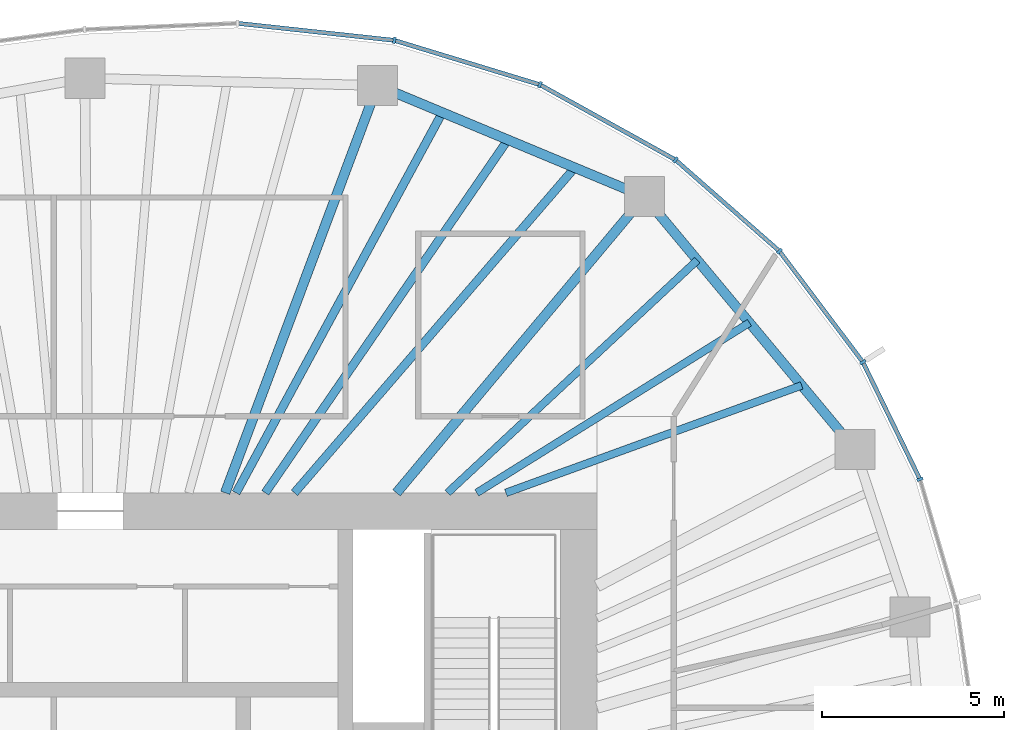
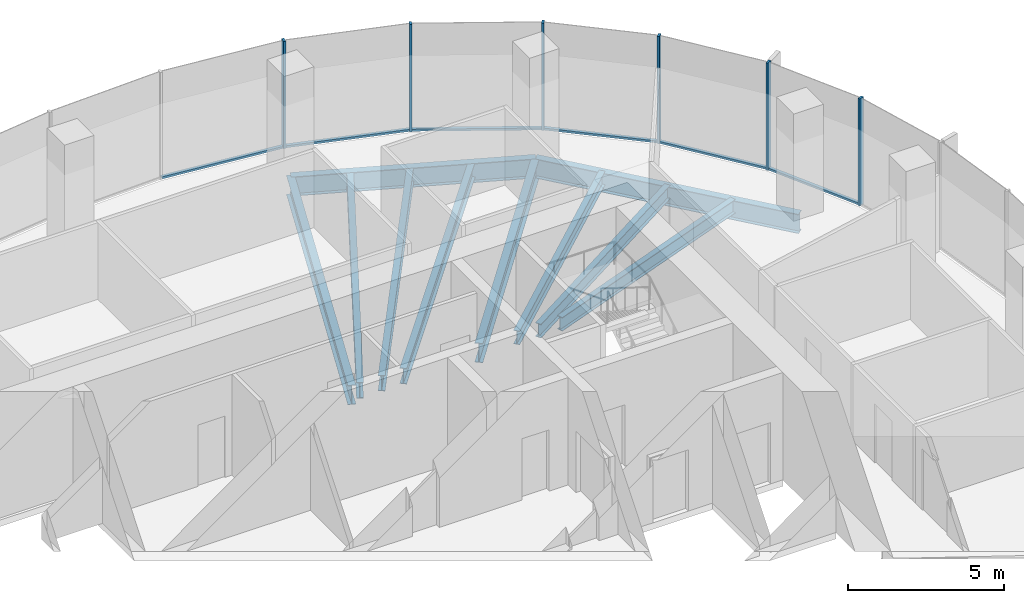
# One storey, part 6 of 11: 12 members, 10 beams, 4 elements without a shape of their own.
"""IFC4 building model written with IfcOpenShell, lengths in metres."""

import ifcopenshell
import ifcopenshell.guid

model = None  # the IFC model being written
_history = None  # IfcOwnerHistory: only IFC2X3 demands one
_inside = {}  # id of a spatial element -> (the spatial element, [elements in it])
_under = {}  # id of a project, library or spatial element -> (it, [spatial elements below it])
_declared = {}  # id of a project -> (the project, [libraries it declares])
_typed = {}  # id of a type object -> (the type object, [elements of that type])
_made_of = {}  # id of a material, layer set ... -> (it, [elements and type objects made of it])


def new_model(schema):
    """Start an empty IFC model of exactly this schema.

    Asked for "IFC4X3", IfcOpenShell would pick the latest addendum, in which some entities
    have other attributes; the version numbers below select the first issue.
    IFC2X3 requires an IfcOwnerHistory on every rooted entity: one is made here for all.
    """
    global model, _history
    if schema == "IFC4X3":
        model = ifcopenshell.file(schema_version=(4, 3, 0, 0))
    else:
        model = ifcopenshell.file(schema=schema)
    _inside.clear()
    _under.clear()
    _declared.clear()
    _typed.clear()
    _made_of.clear()
    _history = None
    if model.schema == "IFC2X3":
        org = make("IfcOrganization", Name="unknown")
        user = make(
            "IfcPersonAndOrganization",
            ThePerson=make("IfcPerson", FamilyName="unknown"),
            TheOrganization=org,
        )
        app = make(
            "IfcApplication",
            ApplicationDeveloper=org,
            Version="unknown",
            ApplicationFullName="unknown",
            ApplicationIdentifier="unknown",
        )
        _history = make(
            "IfcOwnerHistory",
            OwningUser=user,
            OwningApplication=app,
            ChangeAction="ADDED",
            CreationDate=0,
        )
    return model


def make(cls, **values):
    """One entity of the class cls with the attributes given. An attribute that is None is left unset."""
    return model.create_entity(
        cls, **{name: value for name, value in values.items() if value is not None}
    )


def rooted(cls, **values):
    """An entity with a GlobalId (a new one), such as an element, a storey or a relation."""
    return make(cls, GlobalId=ifcopenshell.guid.new(), OwnerHistory=_history, **values)


def si_unit(unit_type, name, prefix=None):
    """IfcSIUnit, for example si_unit("LENGTHUNIT", "METRE", prefix="MILLI")."""
    return make("IfcSIUnit", UnitType=unit_type, Prefix=prefix, Name=name)


def assignment(units):
    """IfcUnitAssignment: the units of a project."""
    return None if units is None else make("IfcUnitAssignment", Units=units)


def point(xyz):
    """IfcCartesianPoint."""
    return None if xyz is None else make("IfcCartesianPoint", Coordinates=xyz)


def direction(xyz):
    """IfcDirection."""
    return None if xyz is None else make("IfcDirection", DirectionRatios=xyz)


def frame(location, z_axis=None, x_axis=None):
    """IfcAxis2Placement3D, a coordinate frame: its origin and axes. An axis left out is left unset."""
    return make(
        "IfcAxis2Placement3D",
        Location=point(location),
        Axis=direction(z_axis),
        RefDirection=direction(x_axis),
    )


def frame_2d(location, x_axis=None):
    """IfcAxis2Placement2D, a coordinate frame in the plane: its origin and x axis."""
    return make(
        "IfcAxis2Placement2D", Location=point(location), RefDirection=direction(x_axis)
    )


def origin():
    """The frame at (0, 0, 0) with its axes left unset."""
    return frame((0.0, 0.0, 0.0))


def origin_2d():
    """The frame at (0, 0) in the plane with its x axis left unset."""
    return frame_2d((0.0, 0.0))


def place(relative_to, where):
    """IfcLocalPlacement: puts the frame where relative to a parent placement (None: the world)."""
    return make(
        "IfcLocalPlacement", PlacementRelTo=relative_to, RelativePlacement=where
    )


def context(
    kind, dimensions, precision=None, world=None, true_north=None, identifier=None
):
    """IfcGeometricRepresentationContext, for example the 3D "Model" context."""
    return make(
        "IfcGeometricRepresentationContext",
        ContextIdentifier=identifier,
        ContextType=kind,
        CoordinateSpaceDimension=dimensions,
        Precision=precision,
        WorldCoordinateSystem=world,
        TrueNorth=true_north,
    )


def subcontext(parent, identifier, kind, view, scale=None):
    """IfcGeometricRepresentationSubContext, for example "Body" below "Model"."""
    return make(
        "IfcGeometricRepresentationSubContext",
        ContextIdentifier=identifier,
        ContextType=kind,
        ParentContext=parent,
        TargetScale=scale,
        TargetView=view,
    )


def project(units=None, contexts=None):
    """IfcProject with its units and contexts."""
    return rooted(
        "IfcProject",
        Name="project",
        RepresentationContexts=contexts,
        UnitsInContext=assignment(units),
    )


def spatial(cls, under=None, at=None, **own):
    """A site, building, storey or space (cls), placed at a placement, below another one or the project."""
    s = rooted(cls, ObjectPlacement=at, **own)
    if under is not None:
        _under.setdefault(under.id(), (under, []))[1].append(s)
    return s


def profile(cls, at=None, kind="AREA", **sizes):
    """A parametric profile (cls). Its sizes go by their IFC names, for example OverallWidth=200.0."""
    return make(cls, ProfileType=kind, Position=at, **sizes)


def rectangle(**sizes):
    """IfcRectangleProfileDef."""
    return profile("IfcRectangleProfileDef", **sizes)


def i_section(**sizes):
    """IfcIShapeProfileDef."""
    return profile("IfcIShapeProfileDef", **sizes)


def extrude(swept, where, along, depth):
    """IfcExtrudedAreaSolid: the profile swept, set in the frame where, extruded along a direction by depth."""
    return make(
        "IfcExtrudedAreaSolid",
        SweptArea=swept,
        Position=where,
        ExtrudedDirection=direction(along),
        Depth=depth,
    )


def shape(context_of_items, identifier, shape_type, items):
    """IfcShapeRepresentation: the items that make up one representation, for example the "Body"."""
    return make(
        "IfcShapeRepresentation",
        ContextOfItems=context_of_items,
        RepresentationIdentifier=identifier,
        RepresentationType=shape_type,
        Items=items,
    )


def material(Name=None, Category=None):
    """IfcMaterial."""
    return make("IfcMaterial", Name=Name, Category=Category)


def material_profile(
    of_material, cross_section, Name=None, Category=None, Priority=None
):
    """IfcMaterialProfile: a cross section and its material."""
    return make(
        "IfcMaterialProfile",
        Name=Name,
        Material=of_material,
        Profile=cross_section,
        Priority=Priority,
        Category=Category,
    )


def profile_set(profiles, Name=None, composite=None):
    """IfcMaterialProfileSet."""
    return make(
        "IfcMaterialProfileSet",
        Name=Name,
        MaterialProfiles=profiles,
        CompositeProfile=composite,
    )


def made_of(thing, what):
    """Note that an element or type object is made of a material, layer set ...; save() writes the relation."""
    if what is not None:
        _made_of.setdefault(what.id(), (what, []))[1].append(thing)
    return thing


def type_object(cls, material=None, **own):
    """A type object (cls), such as IfcWallType, which elements share."""
    return made_of(rooted(cls, **own), material)


def element(
    cls,
    number,
    at=None,
    inside=None,
    cuts=None,
    type_object=None,
    material=None,
    context=None,
    identifier="Body",
    shape_type=None,
    held_by="IfcProductDefinitionShape",
    body=None,
    shapes=None,
    **own,
):
    """One element of the class cls, such as IfcWall. Its Tag is "e" and its number.

    at: its placement. inside: the storey or other place that contains it. cuts: it is an
    opening in that element (IfcRelVoidsElement). A single representation is given by context,
    identifier, shape_type and body (its items); several are given by shapes. held_by: the class
    of the entity that holds the representations. save() writes the other relations.
    """
    e = rooted(cls, Tag="e%d" % number, ObjectPlacement=at, **own)
    if body is not None:
        shapes = [shape(context, identifier, shape_type, body)]
    if shapes is not None:
        e.Representation = make(held_by, Representations=shapes)
    if inside is not None:
        _inside.setdefault(inside.id(), (inside, []))[1].append(e)
    if cuts is not None:
        rooted(
            "IfcRelVoidsElement", RelatingBuildingElement=cuts, RelatedOpeningElement=e
        )
    if type_object is not None:
        _typed.setdefault(type_object.id(), (type_object, []))[1].append(e)
    return made_of(e, material)


def aggregate(whole, parts):
    """IfcRelAggregates: a whole, such as a stair, and the parts it consists of."""
    return rooted("IfcRelAggregates", RelatingObject=whole, RelatedObjects=parts)


def save(model, path):
    """Write the relations noted so far, then the file.

    IfcRelAggregates (storeys below a building ...), IfcRelContainedInSpatialStructure (elements
    in a storey), IfcRelDefinesByType, IfcRelAssociatesMaterial and IfcRelDeclares: one each for
    every whole, place, type object, material and project.
    """
    for whole, parts in _under.values():
        aggregate(whole, parts)
    for where, things in _inside.values():
        rooted(
            "IfcRelContainedInSpatialStructure",
            RelatedElements=things,
            RelatingStructure=where,
        )
    for kind, things in _typed.values():
        rooted("IfcRelDefinesByType", RelatedObjects=things, RelatingType=kind)
    for what, things in _made_of.values():
        rooted("IfcRelAssociatesMaterial", RelatedObjects=things, RelatingMaterial=what)
    for by, libraries in _declared.values():
        rooted("IfcRelDeclares", RelatingContext=by, RelatedDefinitions=libraries)
    model.write(path)


model = new_model("IFC4")

# Units and contexts
model_context = context("Model", 3, precision=1e-05, world=origin(), true_north=direction((0.0, 1.0)))
body_context = subcontext(model_context, "Body", "Model", "MODEL_VIEW")
ifc_project = project(units=[si_unit("LENGTHUNIT", "METRE"), si_unit("AREAUNIT", "SQUARE_METRE"), si_unit("VOLUMEUNIT", "CUBIC_METRE"), si_unit("PLANEANGLEUNIT", "RADIAN"), si_unit("MASSUNIT", "GRAM", prefix="KILO")], contexts=[model_context])

# Site, building, storey
site_placement = place(None, origin())
site = spatial("IfcSite", under=ifc_project, at=site_placement, CompositionType="ELEMENT")
building_placement = place(site_placement, origin())
building = spatial("IfcBuilding", under=site, at=building_placement, Name="Ghaith Harvest Tower", CompositionType="ELEMENT")
storey_placement = place(building_placement, frame((0.0, 0.0, 288.0)))
storey = spatial("IfcBuildingStorey", under=building, at=storey_placement, Name="L64", CompositionType="ELEMENT", Elevation=288.0)

# Curtain wall, member
ifc_material_1 = material(Name="Black anodised aluminium and fritted glass", Category="aluminium")
curtain_wall_type = type_object("IfcCurtainWallType", Name="CW-T CURTAIN WALL", PredefinedType="NOTDEFINED", material=ifc_material_1)
curtain_wall_1_placement = place(storey_placement, origin())
curtain_wall_1 = element("IfcCurtainWall", 1, at=curtain_wall_1_placement, inside=storey, type_object=curtain_wall_type, Name="Curtain wall CW-T bay 02 L64", PredefinedType="NOTDEFINED")
ifc_material_2 = material(Name="Aluminium, black anodised", Category="aluminium")
ifc_material_profile_1 = material_profile(ifc_material_2, rectangle(XDim=0.080078125, YDim=0.179931640625, at=origin_2d()), Name="CW-T MULLION 80x180")
ifc_profile_set_1 = profile_set([ifc_material_profile_1], Name="Aluminium, black anodised")
member_type_1 = type_object("IfcMemberType", Name="CW-T MULLION 80x180", PredefinedType="MULLION", material=ifc_profile_set_1)
member_1_placement = place(storey_placement, frame((22.754150390625, 10.272216796875, 0.0), z_axis=(0.0, 0.0, 1.0), x_axis=(-0.361184273709, 0.932494461338, 0.0)))
member_1 = element("IfcMember", 2, at=member_1_placement, type_object=member_type_1, Name="CW-T mullion 2 bay 02 L64", PredefinedType="MULLION", context=body_context, shape_type="SweptSolid", body=[
    extrude(rectangle(XDim=0.080078125, YDim=0.179931640625, at=origin_2d()), origin(), (0.0, 0.0, 1.0), 4.199951171875),
])

# Curtain wall, members
curtain_wall_2_placement = place(storey_placement, origin())
curtain_wall_2 = element("IfcCurtainWall", 3, at=curtain_wall_2_placement, inside=storey, type_object=curtain_wall_type, Name="Curtain wall CW-T bay 03 L64", PredefinedType="NOTDEFINED")
member_2_placement = place(storey_placement, frame((21.18896484375, 13.48486328125, 0.0), z_axis=(0.0, 0.0, 1.0), x_axis=(-0.524482238522, 0.851421388899, 0.0)))
member_2 = element("IfcMember", 4, at=member_2_placement, type_object=member_type_1, Name="CW-T mullion 1 bay 03 L64", PredefinedType="MULLION", context=body_context, shape_type="SweptSolid", body=[
    extrude(rectangle(XDim=0.080078125, YDim=0.179931640625, at=origin_2d()), origin(), (0.0, 0.0, 1.0), 4.199951171875),
])
member_3_placement = place(storey_placement, frame((18.901123046875, 16.527099609375, 0.0), z_axis=(0.0, 0.0, 1.0), x_axis=(-0.679660897075, 0.733526458274, 0.0)))
member_3 = element("IfcMember", 5, at=member_3_placement, type_object=member_type_1, Name="CW-T mullion 2 bay 03 L64", PredefinedType="MULLION", context=body_context, shape_type="SweptSolid", body=[
    extrude(rectangle(XDim=0.080078125, YDim=0.179931640625, at=origin_2d()), origin(), (0.0, 0.0, 1.0), 4.199951171875),
])

curtain_wall_3_placement = place(storey_placement, origin())
curtain_wall_3 = element("IfcCurtainWall", 6, at=curtain_wall_3_placement, inside=storey, type_object=curtain_wall_type, Name="Curtain wall CW-T bay 04 L64", PredefinedType="NOTDEFINED")
member_4_placement = place(storey_placement, frame((16.04931640625, 19.031982421875, 0.0), z_axis=(0.0, 0.0, 1.0), x_axis=(-0.821112053873, 0.570767023385, 0.0)))
member_4 = element("IfcMember", 7, at=member_4_placement, type_object=member_type_1, Name="CW-T mullion 1 bay 04 L64", PredefinedType="MULLION", context=body_context, shape_type="SweptSolid", body=[
    extrude(rectangle(XDim=0.080078125, YDim=0.179931640625, at=origin_2d()), origin(), (0.0, 0.0, 1.0), 4.199951171875),
])
member_5_placement = place(storey_placement, frame((12.334228515625, 21.091796875, 0.0), z_axis=(0.0, 0.0, 1.0), x_axis=(-0.920319269246, 0.391168049123, 0.0)))
member_5 = element("IfcMember", 8, at=member_5_placement, type_object=member_type_1, Name="CW-T mullion 2 bay 04 L64", PredefinedType="MULLION", context=body_context, shape_type="SweptSolid", body=[
    extrude(rectangle(XDim=0.080078125, YDim=0.179931640625, at=origin_2d()), origin(), (0.0, 0.0, 1.0), 4.199951171875),
])

# Curtain wall, member
curtain_wall_4_placement = place(storey_placement, origin())
curtain_wall_4 = element("IfcCurtainWall", 9, at=curtain_wall_4_placement, inside=storey, type_object=curtain_wall_type, Name="Curtain wall CW-T bay 05 L64", PredefinedType="NOTDEFINED")
member_6_placement = place(storey_placement, frame((8.33984375, 22.308837890625, 0.0), z_axis=(0.0, 0.0, 1.0), x_axis=(-0.980000193436, 0.198996534809, 0.0)))
member_6 = element("IfcMember", 10, at=member_6_placement, type_object=member_type_1, Name="CW-T mullion 1 bay 05 L64", PredefinedType="MULLION", context=body_context, shape_type="SweptSolid", body=[
    extrude(rectangle(XDim=0.080078125, YDim=0.179931640625, at=origin_2d()), origin(), (0.0, 0.0, 1.0), 4.199951171875),
])

# Member
ifc_material_3 = material(Name="Aluminium, black anodised", Category="aluminium")
ifc_material_profile_2 = material_profile(ifc_material_3, rectangle(XDim=0.1201171875, YDim=0.080078125, at=origin_2d()), Name="CW-T TRANSOM 120x80")
ifc_profile_set_2 = profile_set([ifc_material_profile_2], Name="Aluminium, black anodised")
member_type_2 = type_object("IfcMemberType", Name="CW-T TRANSOM 120x80", PredefinedType="USERDEFINED", material=ifc_profile_set_2)
member_7_placement = place(storey_placement, frame((22.736572265625, 10.308349609375, 0.0400390625), z_axis=(-0.437965078712, 0.898991985408, 0.0), x_axis=(-0.898991985408, -0.437965078712, 0.0)))
member_7 = element("IfcMember", 11, at=member_7_placement, type_object=member_type_2, Name="CW-T transom 2 bay 02 L64", ObjectType="TRANSOM", PredefinedType="USERDEFINED", context=body_context, shape_type="SweptSolid", body=[
    extrude(rectangle(XDim=0.1201171875, YDim=0.080078125, at=origin_2d()), origin(), (0.0, 0.0, 1.0), 3.493408203125),
])

aggregate(curtain_wall_1, [member_1, member_7])

member_8_placement = place(storey_placement, frame((21.1650390625, 13.516845703125, 0.0400390625), z_axis=(-0.601079103045, 0.799189534392, 0.0), x_axis=(-0.799189534392, -0.601079103045, 0.0)))
member_8 = element("IfcMember", 12, at=member_8_placement, type_object=member_type_2, Name="CW-T transom 1 bay 03 L64", ObjectType="TRANSOM", PredefinedType="USERDEFINED", context=body_context, shape_type="SweptSolid", body=[
    extrude(rectangle(XDim=0.1201171875, YDim=0.080078125, at=origin_2d()), origin(), (0.0, 0.0, 1.0), 3.7265625),
])

member_9_placement = place(storey_placement, frame((18.87109375, 16.553466796875, 0.0400390625), z_axis=(-0.751325799984, 0.659931467865, 0.0), x_axis=(-0.659931467865, -0.751325799984, 0.0)))
member_9 = element("IfcMember", 13, at=member_9_placement, type_object=member_type_2, Name="CW-T transom 2 bay 03 L64", ObjectType="TRANSOM", PredefinedType="USERDEFINED", context=body_context, shape_type="SweptSolid", body=[
    extrude(rectangle(XDim=0.1201171875, YDim=0.080078125, at=origin_2d()), origin(), (0.0, 0.0, 1.0), 3.7158203125),
])

aggregate(curtain_wall_2, [member_2, member_8, member_3, member_9])

member_10_placement = place(storey_placement, frame((16.01416015625, 19.051513671875, 0.0400390625), z_axis=(-0.874552130553, 0.484931511603, 0.0), x_axis=(-0.484931511603, -0.874552130553, 0.0)))
member_10 = element("IfcMember", 14, at=member_10_placement, type_object=member_type_2, Name="CW-T transom 1 bay 04 L64", ObjectType="TRANSOM", PredefinedType="USERDEFINED", context=body_context, shape_type="SweptSolid", body=[
    extrude(rectangle(XDim=0.1201171875, YDim=0.080078125, at=origin_2d()), origin(), (0.0, 0.0, 1.0), 4.16748046875),
])

member_11_placement = place(storey_placement, frame((12.296142578125, 21.103515625, 0.0400390625), z_axis=(-0.956593713342, 0.291424891858, 0.0), x_axis=(-0.291424891858, -0.956593713342, 0.0)))
member_11 = element("IfcMember", 15, at=member_11_placement, type_object=member_type_2, Name="CW-T transom 2 bay 04 L64", ObjectType="TRANSOM", PredefinedType="USERDEFINED", context=body_context, shape_type="SweptSolid", body=[
    extrude(rectangle(XDim=0.1201171875, YDim=0.080078125, at=origin_2d()), origin(), (0.0, 0.0, 1.0), 4.095703125),
])

aggregate(curtain_wall_3, [member_4, member_10, member_5, member_11])

member_12_placement = place(storey_placement, frame((8.300048828125, 22.313232421875, 0.0400390625), z_axis=(-0.994144463069, 0.108059180768, 0.0), x_axis=(-0.108059180768, -0.994144463069, 0.0)))
member_12 = element("IfcMember", 16, at=member_12_placement, type_object=member_type_2, Name="CW-T transom 1 bay 05 L64", ObjectType="TRANSOM", PredefinedType="USERDEFINED", context=body_context, shape_type="SweptSolid", body=[
    extrude(rectangle(XDim=0.1201171875, YDim=0.080078125, at=origin_2d()), origin(), (0.0, 0.0, 1.0), 4.24755859375),
])

aggregate(curtain_wall_4, [member_6, member_12])

# Beams
ifc_material_4 = material(Name="Steel ASTM A992 Grade 50", Category="steel")
ifc_material_profile_3 = material_profile(ifc_material_4, i_section(OverallWidth=0.26611328125, OverallDepth=0.758056640625, WebThickness=0.013916015625, FlangeThickness=0.019287109375, at=origin_2d()), Name="W760X161")
ifc_profile_set_3 = profile_set([ifc_material_profile_3], Name="Steel ASTM A992 Grade 50")
beam_type_1 = type_object("IfcBeamType", Name="E760-161 W760X161", PredefinedType="SPANDREL", material=ifc_profile_set_3)
beam_1_placement = place(storey_placement, frame((20.97705078125, 11.087890625, -0.549072265625), z_axis=(-0.640173759088, 0.76823014662, 0.0), x_axis=(-0.76823014662, -0.640173759088, 0.0)))
element("IfcBeam", 17, at=beam_1_placement, inside=storey, type_object=beam_type_1, Name="Edge beam E03 L64", PredefinedType="SPANDREL", context=body_context, shape_type="SweptSolid", body=[
    extrude(i_section(OverallWidth=0.26611328125, OverallDepth=0.758056640625, WebThickness=0.013916015625, FlangeThickness=0.019287109375, at=origin_2d()), origin(), (0.0, 0.0, 1.0), 9.02734375),
])
beam_2_placement = place(storey_placement, frame((15.197998046875, 18.02294921875, -0.549072265625), z_axis=(-0.923119729219, 0.384512633766, 0.0), x_axis=(-0.384512633766, -0.923119729219, 0.0)))
element("IfcBeam", 18, at=beam_2_placement, inside=storey, type_object=beam_type_1, Name="Edge beam E04 L64", PredefinedType="SPANDREL", context=body_context, shape_type="SweptSolid", body=[
    extrude(i_section(OverallWidth=0.26611328125, OverallDepth=0.758056640625, WebThickness=0.013916015625, FlangeThickness=0.019287109375, at=origin_2d()), origin(), (0.0, 0.0, 1.0), 7.9296875),
])
ifc_material_5 = material(Name="Steel ASTM A992 Grade 50", Category="steel")
ifc_material_profile_4 = material_profile(ifc_material_5, i_section(OverallWidth=0.26611328125, OverallDepth=0.758056640625, WebThickness=0.013916015625, FlangeThickness=0.019287109375, at=origin_2d()), Name="W760X161")
ifc_profile_set_4 = profile_set([ifc_material_profile_4], Name="Steel ASTM A992 Grade 50")
beam_type_2 = type_object("IfcBeamType", Name="G760-161 W760X161", PredefinedType="BEAM", material=ifc_profile_set_4)
beam_3_placement = place(storey_placement, frame((8.39990234375, 9.89990234375, -0.549072265625), z_axis=(0.641792628883, 0.766878231215, 0.0), x_axis=(-0.766878231215, 0.641792628883, 0.0)))
element("IfcBeam", 19, at=beam_3_placement, inside=storey, type_object=beam_type_2, Name="Radial girder G04 L64", PredefinedType="BEAM", context=body_context, shape_type="SweptSolid", body=[
    extrude(i_section(OverallWidth=0.26611328125, OverallDepth=0.758056640625, WebThickness=0.013916015625, FlangeThickness=0.019287109375, at=origin_2d()), origin(), (0.0, 0.0, 1.0), 10.59228515625),
])
beam_4_placement = place(storey_placement, frame((3.700927734375, 9.89990234375, -0.549072265625), z_axis=(0.350201332531, 0.936674450753, 0.0), x_axis=(-0.936674450753, 0.350201332531, 0.0)))
element("IfcBeam", 20, at=beam_4_placement, inside=storey, type_object=beam_type_2, Name="Radial girder G05 L64", PredefinedType="BEAM", context=body_context, shape_type="SweptSolid", body=[
    extrude(i_section(OverallWidth=0.26611328125, OverallDepth=0.758056640625, WebThickness=0.013916015625, FlangeThickness=0.019287109375, at=origin_2d()), origin(), (0.0, 0.0, 1.0), 11.927490234375),
])
ifc_material_6 = material(Name="Steel ASTM A992 Grade 50", Category="steel")
ifc_material_profile_5 = material_profile(ifc_material_6, i_section(OverallWidth=0.2109375, OverallDepth=0.5390625, WebThickness=0.01171875, FlangeThickness=0.018798828125, at=origin_2d()), Name="W530X109")
ifc_profile_set_5 = profile_set([ifc_material_profile_5], Name="Steel ASTM A992 Grade 50")
beam_type_3 = type_object("IfcBeamType", Name="J530-109 W530X109", PredefinedType="JOIST", material=ifc_profile_set_5)
beam_5_placement = place(storey_placement, frame((11.39990234375, 9.89990234375, -0.439453125), z_axis=(0.939925501564, 0.341379629605, 0.0), x_axis=(-0.341379629605, 0.939925501564, 0.0)))
element("IfcBeam", 21, at=beam_5_placement, inside=storey, type_object=beam_type_3, Name="Joist J03.1 L64", PredefinedType="JOIST", context=body_context, shape_type="SweptSolid", body=[
    extrude(i_section(OverallWidth=0.2109375, OverallDepth=0.5390625, WebThickness=0.01171875, FlangeThickness=0.018798828125, at=origin_2d()), origin(), (0.0, 0.0, 1.0), 8.630615234375),
])
beam_6_placement = place(storey_placement, frame((10.60009765625, 9.89990234375, -0.439453125), z_axis=(0.84837619421, 0.52939383553, 0.0), x_axis=(-0.52939383553, 0.84837619421, 0.0)))
element("IfcBeam", 22, at=beam_6_placement, inside=storey, type_object=beam_type_3, Name="Joist J03.2 L64", PredefinedType="JOIST", context=body_context, shape_type="SweptSolid", body=[
    extrude(i_section(OverallWidth=0.2109375, OverallDepth=0.5390625, WebThickness=0.01171875, FlangeThickness=0.018798828125, at=origin_2d()), origin(), (0.0, 0.0, 1.0), 8.814697265625),
])
beam_7_placement = place(storey_placement, frame((9.800048828125, 9.89990234375, -0.439453125), z_axis=(0.73164904944, 0.681681500742, 0.0), x_axis=(-0.681681500742, 0.73164904944, 0.0)))
element("IfcBeam", 23, at=beam_7_placement, inside=storey, type_object=beam_type_3, Name="Joist J03.3 L64", PredefinedType="JOIST", context=body_context, shape_type="SweptSolid", body=[
    extrude(i_section(OverallWidth=0.2109375, OverallDepth=0.5390625, WebThickness=0.01171875, FlangeThickness=0.018798828125, at=origin_2d()), origin(), (0.0, 0.0, 1.0), 9.361572265625),
])
ifc_material_7 = material(Name="Steel ASTM A992 Grade 50", Category="steel")
ifc_material_profile_6 = material_profile(ifc_material_7, i_section(OverallWidth=0.22998046875, OverallDepth=0.616943359375, WebThickness=0.01318359375, FlangeThickness=0.022216796875, at=origin_2d()), Name="W610X140")
ifc_profile_set_6 = profile_set([ifc_material_profile_6], Name="Steel ASTM A992 Grade 50")
beam_type_4 = type_object("IfcBeamType", Name="J610-140 W610X140", PredefinedType="JOIST", material=ifc_profile_set_6)
beam_8_placement = place(storey_placement, frame((5.60009765625, 9.89990234375, -0.478515625), z_axis=(0.652992938501, 0.757363995888, 0.0), x_axis=(-0.757363995888, 0.652992938501, 0.0)))
element("IfcBeam", 24, at=beam_8_placement, inside=storey, type_object=beam_type_4, Name="Joist J04.1 L64", PredefinedType="JOIST", context=body_context, shape_type="SweptSolid", body=[
    extrude(i_section(OverallWidth=0.22998046875, OverallDepth=0.616943359375, WebThickness=0.01318359375, FlangeThickness=0.022216796875, at=origin_2d()), origin(), (0.0, 0.0, 1.0), 11.775390625),
])
beam_9_placement = place(storey_placement, frame((4.800048828125, 9.89990234375, -0.478515625), z_axis=(0.566228035119, 0.824248634967, 0.0), x_axis=(-0.824248634967, 0.566228035119, 0.0)))
element("IfcBeam", 25, at=beam_9_placement, inside=storey, type_object=beam_type_4, Name="Joist J04.2 L64", PredefinedType="JOIST", context=body_context, shape_type="SweptSolid", body=[
    extrude(i_section(OverallWidth=0.22998046875, OverallDepth=0.616943359375, WebThickness=0.01318359375, FlangeThickness=0.022216796875, at=origin_2d()), origin(), (0.0, 0.0, 1.0), 11.748046875),
])
beam_10_placement = place(storey_placement, frame((4.0, 9.89990234375, -0.478515625), z_axis=(0.476764926531, 0.879030832696, 0.0), x_axis=(-0.879030832696, 0.476764926531, 0.0)))
element("IfcBeam", 26, at=beam_10_placement, inside=storey, type_object=beam_type_4, Name="Joist J04.3 L64", PredefinedType="JOIST", context=body_context, shape_type="SweptSolid", body=[
    extrude(i_section(OverallWidth=0.22998046875, OverallDepth=0.616943359375, WebThickness=0.01318359375, FlangeThickness=0.022216796875, at=origin_2d()), origin(), (0.0, 0.0, 1.0), 11.866455078125),
])

save(model, "model.ifc")
